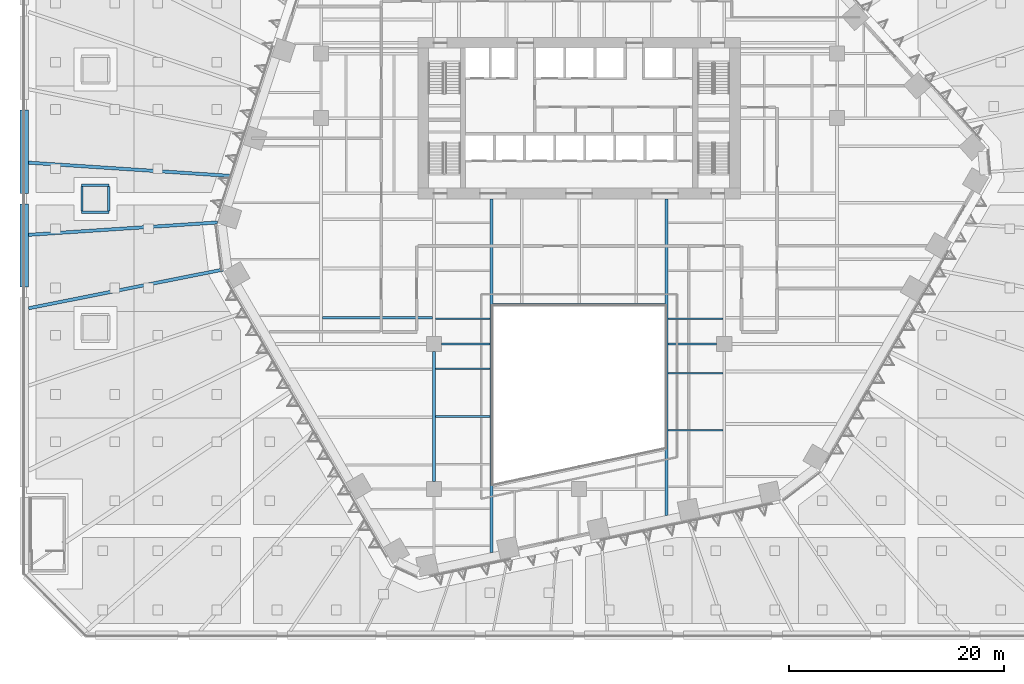
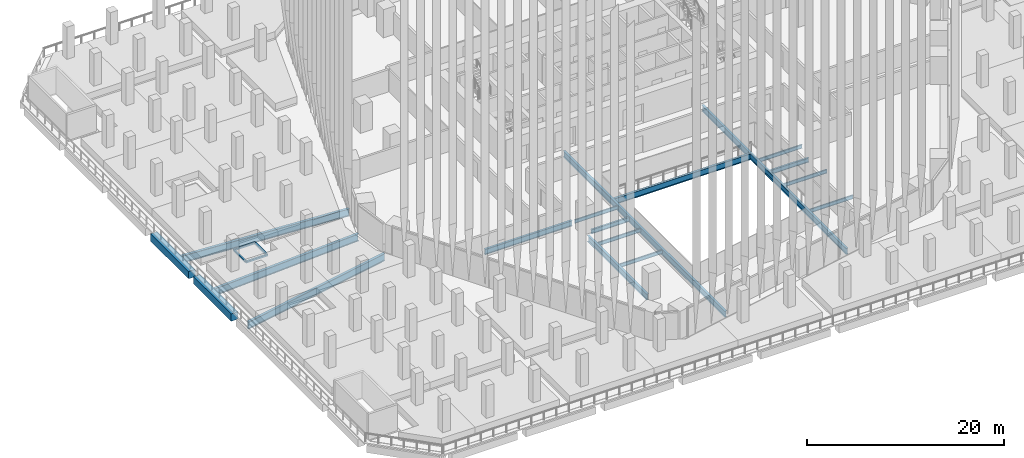
# One storey, part 6 of 51: 18 beams, 4 members.
"""IFC4 building model written with IfcOpenShell, lengths in metres."""

from ifc_helpers import new_model, si_unit, direction, frame, origin, origin_2d, place, context, subcontext, project, spatial, rectangle, i_section, extrude, material, material_profile, profile_set, type_object, element, save


model = new_model("IFC4")

# Units and contexts
model_context = context("Model", 3, precision=1e-05, world=origin(), true_north=direction((0.0, 1.0)))
body_context = subcontext(model_context, "Body", "Model", "MODEL_VIEW")
ifc_project = project(units=[si_unit("LENGTHUNIT", "METRE"), si_unit("AREAUNIT", "SQUARE_METRE"), si_unit("VOLUMEUNIT", "CUBIC_METRE"), si_unit("PLANEANGLEUNIT", "RADIAN"), si_unit("MASSUNIT", "GRAM", prefix="KILO")], contexts=[model_context])

# Site, building, storey
site_placement = place(None, origin())
site = spatial("IfcSite", under=ifc_project, at=site_placement, CompositionType="ELEMENT")
building_placement = place(site_placement, origin())
building = spatial("IfcBuilding", under=site, at=building_placement, Name="Isthmus Gate Tower", CompositionType="ELEMENT")
storey_placement = place(building_placement, frame((0.0, 0.0, 36.0)))
storey = spatial("IfcBuildingStorey", under=building, at=storey_placement, Name="L06", CompositionType="ELEMENT", Elevation=36.0)

# Beams
ifc_material_1 = material(Name="Concrete f'c 70 MPa", Category="concrete")
ifc_material_profile_1 = material_profile(ifc_material_1, rectangle(XDim=0.800048828125, YDim=0.89990234375, at=origin_2d()), Name="RC 800X900")
ifc_profile_set_1 = profile_set([ifc_material_profile_1], Name="Concrete f'c 70 MPa")
beam_type_1 = type_object("IfcBeamType", Name="RC EDGE BEAM 800 X 900", PredefinedType="BEAM", material=ifc_profile_set_1)
beam_1_placement = place(storey_placement, frame((-51.60009765625, -8.199951171875, -0.60009765625), z_axis=(0.0, 1.0, 0.0), x_axis=(-1.0, 0.0, 0.0)))
element("IfcBeam", 1, at=beam_1_placement, inside=storey, type_object=beam_type_1, Name="str-edgebeam-L06-03", PredefinedType="BEAM", context=body_context, shape_type="SweptSolid", body=[
    extrude(rectangle(XDim=0.800048828125, YDim=0.89990234375, at=origin_2d()), origin(), (0.0, 0.0, 1.0), 7.699951171875),
])
beam_2_placement = place(storey_placement, frame((-51.60009765625, 0.5, -0.60009765625), z_axis=(0.0, 1.0, 0.0), x_axis=(-1.0, 0.0, 0.0)))
element("IfcBeam", 2, at=beam_2_placement, inside=storey, type_object=beam_type_1, Name="str-edgebeam-L06-04", PredefinedType="BEAM", context=body_context, shape_type="SweptSolid", body=[
    extrude(rectangle(XDim=0.800048828125, YDim=0.89990234375, at=origin_2d()), origin(), (0.0, 0.0, 1.0), 7.75),
])

# Members
ifc_material_2 = material(Name="Concrete C30/37", Category="concrete")
ifc_material_profile_2 = material_profile(ifc_material_2, rectangle(XDim=0.199951171875, YDim=0.199951171875, at=origin_2d()), Name="200x200")
ifc_profile_set_2 = profile_set([ifc_material_profile_2], Name="Concrete C30/37")
member_type = type_object("IfcMemberType", Name="SKYLIGHT KERB 200 X 200", PredefinedType="USERDEFINED", material=ifc_profile_set_2)
for number, where, z_axis, x_axis, name in (
    (3, (-46.300048828125, -1.25, 0.10009765625), (1.0, 0.0, 0.0), (0.0, 1.0, 0.0), "Skylight kerb"),
    (4, (-46.300048828125, 1.25, 0.10009765625), (1.0, 0.0, 0.0), (0.0, 1.0, 0.0), "Skylight kerb"),
):
    element("IfcMember", number, at=place(storey_placement, frame(where, z_axis=z_axis, x_axis=x_axis)), inside=storey, type_object=member_type, Name=name, ObjectType="KERB", PredefinedType="USERDEFINED", context=body_context, shape_type="SweptSolid", body=[
        extrude(rectangle(XDim=0.199951171875, YDim=0.199951171875, at=origin_2d()), origin(), (0.0, 0.0, 1.0), 2.60009765625),
    ])
for number, where, z_axis, x_axis, name in (
    (5, (-46.25, -1.14990234375, 0.10009765625), (0.0, 1.0, 0.0), (-1.0, 0.0, 0.0), "Skylight kerb"),
    (6, (-43.75, -1.14990234375, 0.10009765625), (0.0, 1.0, 0.0), (-1.0, 0.0, 0.0), "Skylight kerb"),
):
    element("IfcMember", number, at=place(storey_placement, frame(where, z_axis=z_axis, x_axis=x_axis)), inside=storey, type_object=member_type, Name=name, ObjectType="KERB", PredefinedType="USERDEFINED", context=body_context, shape_type="SweptSolid", body=[
        extrude(rectangle(XDim=0.199951171875, YDim=0.199951171875, at=origin_2d()), origin(), (0.0, 0.0, 1.0), 2.2998046875),
    ])

# Beams
ifc_material_3 = material(Name="Structural steel ASTM A992 Gr 50", Category="steel")
ifc_material_profile_3 = material_profile(ifc_material_3, i_section(OverallWidth=0.15234375, OverallDepth=0.45068359375, WebThickness=0.0078125, FlangeThickness=0.010986328125, at=origin_2d()), Name="W18X35")
ifc_profile_set_3 = profile_set([ifc_material_profile_3], Name="Structural steel ASTM A992 Gr 50")
beam_type_2 = type_object("IfcBeamType", Name="STEEL FLOOR BEAM W18X35", PredefinedType="JOIST", material=ifc_profile_set_3)
for number, where, z_axis, x_axis, name in (
    (7, (-13.3681640625, -11.16259765625, -0.37548828125), (1.0, 0.0, 0.0), (0.0, 1.0, 0.0), "str-beam-L06-11-00"),
    (8, (-13.3681640625, -20.25, -0.37548828125), (1.0, 0.0, 0.0), (0.0, 1.0, 0.0), "str-beam-L06-12-01"),
    (9, (-13.3681640625, -15.81982421875, -0.37548828125), (1.0, 0.0, 0.0), (0.0, 1.0, 0.0), "str-beam-L06-12-02"),
):
    element("IfcBeam", number, at=place(storey_placement, frame(where, z_axis=z_axis, x_axis=x_axis)), inside=storey, type_object=beam_type_2, Name=name, PredefinedType="JOIST", context=body_context, shape_type="SweptSolid", body=[
        extrude(i_section(OverallWidth=0.15234375, OverallDepth=0.45068359375, WebThickness=0.0078125, FlangeThickness=0.010986328125, at=origin_2d()), origin(), (0.0, 0.0, 1.0), 5.1015625),
    ])
for number, where, z_axis, x_axis, name in (
    (10, (8.263427734375, -21.51513671875, -0.37548828125), (1.0, 0.0, 0.0), (0.0, 1.0, 0.0), "str-beam-L06-22-01"),
    (11, (8.263427734375, -16.241455078125, -0.37548828125), (1.0, 0.0, 0.0), (0.0, 1.0, 0.0), "str-beam-L06-22-02"),
):
    element("IfcBeam", number, at=place(storey_placement, frame(where, z_axis=z_axis, x_axis=x_axis)), inside=storey, type_object=beam_type_2, Name=name, PredefinedType="JOIST", context=body_context, shape_type="SweptSolid", body=[
        extrude(i_section(OverallWidth=0.15234375, OverallDepth=0.45068359375, WebThickness=0.0078125, FlangeThickness=0.010986328125, at=origin_2d()), origin(), (0.0, 0.0, 1.0), 5.103271484375),
    ])
beam_3_placement = place(storey_placement, frame((8.263427734375, -11.16259765625, -0.37548828125), z_axis=(1.0, 0.0, 0.0), x_axis=(0.0, 1.0, 0.0)))
element("IfcBeam", 12, at=beam_3_placement, inside=storey, type_object=beam_type_2, Name="str-beam-L06-23-00", PredefinedType="JOIST", context=body_context, shape_type="SweptSolid", body=[
    extrude(i_section(OverallWidth=0.15234375, OverallDepth=0.45068359375, WebThickness=0.0078125, FlangeThickness=0.010986328125, at=origin_2d()), origin(), (0.0, 0.0, 1.0), 5.104736328125),
])
ifc_material_4 = material(Name="Structural steel ASTM A992 Gr 50", Category="steel")
ifc_material_profile_4 = material_profile(ifc_material_4, i_section(OverallWidth=0.25390625, OverallDepth=0.679443359375, WebThickness=0.010986328125, FlangeThickness=0.015869140625, at=origin_2d()), Name="W27X84")
ifc_profile_set_4 = profile_set([ifc_material_profile_4], Name="Structural steel ASTM A992 Gr 50")
beam_type_3 = type_object("IfcBeamType", Name="STEEL FLOOR BEAM W27X84", PredefinedType="JOIST", material=ifc_profile_set_4)
beam_4_placement = place(storey_placement, frame((-23.86669921875, -11.07470703125, -0.48974609375), z_axis=(1.0, 0.0, 0.0), x_axis=(0.0, 1.0, 0.0)))
element("IfcBeam", 13, at=beam_4_placement, inside=storey, type_object=beam_type_3, Name="str-beam-L06-07-00", PredefinedType="JOIST", context=body_context, shape_type="SweptSolid", body=[
    extrude(i_section(OverallWidth=0.25390625, OverallDepth=0.679443359375, WebThickness=0.010986328125, FlangeThickness=0.015869140625, at=origin_2d()), origin(), (0.0, 0.0, 1.0), 10.23486328125),
])
ifc_material_5 = material(Name="Structural steel ASTM A992 Gr 50", Category="steel")
ifc_material_profile_5 = material_profile(ifc_material_5, i_section(OverallWidth=0.20947265625, OverallDepth=0.533447265625, WebThickness=0.009521484375, FlangeThickness=0.015869140625, at=origin_2d()), Name="W21X62")
ifc_profile_set_5 = profile_set([ifc_material_profile_5], Name="Structural steel ASTM A992 Gr 50")
beam_type_4 = type_object("IfcBeamType", Name="STEEL GIRDER W21X62", PredefinedType="BEAM", material=ifc_profile_set_5)
beam_5_placement = place(storey_placement, frame((-12.800048828125, -13.5, -0.416748046875), z_axis=(1.0, 0.0, 0.0), x_axis=(0.0, 1.0, 0.0)))
element("IfcBeam", 14, at=beam_5_placement, inside=storey, type_object=beam_type_4, Name="str-girder-L06-06", PredefinedType="BEAM", context=body_context, shape_type="SweptSolid", body=[
    extrude(i_section(OverallWidth=0.20947265625, OverallDepth=0.533447265625, WebThickness=0.009521484375, FlangeThickness=0.015869140625, at=origin_2d()), origin(), (0.0, 0.0, 1.0), 4.533447265625),
])
beam_6_placement = place(storey_placement, frame((8.263427734375, -13.5, -0.416748046875), z_axis=(1.0, 0.0, 0.0), x_axis=(0.0, 1.0, 0.0)))
element("IfcBeam", 15, at=beam_6_placement, inside=storey, type_object=beam_type_4, Name="str-girder-L06-07", PredefinedType="BEAM", context=body_context, shape_type="SweptSolid", body=[
    extrude(i_section(OverallWidth=0.20947265625, OverallDepth=0.533447265625, WebThickness=0.009521484375, FlangeThickness=0.015869140625, at=origin_2d()), origin(), (0.0, 0.0, 1.0), 4.53662109375),
])
ifc_material_6 = material(Name="Structural steel ASTM A992 Gr 50", Category="steel")
ifc_material_profile_6 = material_profile(ifc_material_6, i_section(OverallWidth=0.263427734375, OverallDepth=0.749267578125, WebThickness=0.0126953125, FlangeThickness=0.015869140625, at=origin_2d()), Name="W30X90")
ifc_profile_set_6 = profile_set([ifc_material_profile_6], Name="Structural steel ASTM A992 Gr 50")
beam_type_5 = type_object("IfcBeamType", Name="STEEL GIRDER W30X90", PredefinedType="BEAM", material=ifc_profile_set_6)
beam_7_placement = place(storey_placement, frame((-13.5, -26.300048828125, -0.524658203125), z_axis=(0.0, 1.0, 0.0), x_axis=(-1.0, 0.0, 0.0)))
element("IfcBeam", 16, at=beam_7_placement, inside=storey, type_object=beam_type_5, Name="str-girder-L06-24", PredefinedType="BEAM", context=body_context, shape_type="SweptSolid", body=[
    extrude(i_section(OverallWidth=0.263427734375, OverallDepth=0.749267578125, WebThickness=0.0126953125, FlangeThickness=0.015869140625, at=origin_2d()), origin(), (0.0, 0.0, 1.0), 12.10009765625),
])
ifc_material_7 = material(Name="Structural steel ASTM A992 Gr 50", Category="steel")
ifc_material_profile_7 = material_profile(ifc_material_7, i_section(OverallWidth=0.3046875, OverallDepth=0.901611328125, WebThickness=0.015869140625, FlangeThickness=0.0205078125, at=origin_2d()), Name="W36X135")
ifc_profile_set_7 = profile_set([ifc_material_profile_7], Name="Structural steel ASTM A992 Gr 50")
beam_type_6 = type_object("IfcBeamType", Name="STEEL LEDGE BEAM W36X135", PredefinedType="JOIST", material=ifc_profile_set_7)
beam_8_placement = place(storey_placement, frame((-33.627685546875, -2.2041015625, -0.600830078125), z_axis=(-0.997859426527, -0.06539545008, 0.0), x_axis=(0.06539545008, -0.997859426527, 0.0)))
element("IfcBeam", 17, at=beam_8_placement, inside=storey, type_object=beam_type_6, Name="str-ringbeam-L06-00-24", PredefinedType="JOIST", context=body_context, shape_type="SweptSolid", body=[
    extrude(i_section(OverallWidth=0.3046875, OverallDepth=0.901611328125, WebThickness=0.015869140625, FlangeThickness=0.0205078125, at=origin_2d()), origin(), (0.0, 0.0, 1.0), 17.60986328125),
])
beam_9_placement = place(storey_placement, frame((-33.08349609375, -6.580810546875, -0.600830078125), z_axis=(-0.980786019427, -0.195086606654, 0.0), x_axis=(0.195086606654, -0.980786019427, 0.0)))
element("IfcBeam", 18, at=beam_9_placement, inside=storey, type_object=beam_type_6, Name="str-ringbeam-L06-00-25", PredefinedType="JOIST", context=body_context, shape_type="SweptSolid", body=[
    extrude(i_section(OverallWidth=0.3046875, OverallDepth=0.901611328125, WebThickness=0.015869140625, FlangeThickness=0.0205078125, at=origin_2d()), origin(), (0.0, 0.0, 1.0), 18.471435546875),
])
ifc_material_8 = material(Name="Structural steel ASTM A992 Gr 50", Category="steel")
ifc_material_profile_8 = material_profile(ifc_material_8, i_section(OverallWidth=0.3046875, OverallDepth=0.914306640625, WebThickness=0.015869140625, FlangeThickness=0.025390625, at=origin_2d()), Name="W36X160")
ifc_profile_set_8 = profile_set([ifc_material_profile_8], Name="Structural steel ASTM A992 Gr 50")
beam_type_7 = type_object("IfcBeamType", Name="STEEL LEDGE BEAM W36X160", PredefinedType="JOIST", material=ifc_profile_set_8)
beam_10_placement = place(storey_placement, frame((-32.225341796875, 2.112060546875, -0.607177734375), z_axis=(-0.997858955021, 0.065402644324, 0.0), x_axis=(-0.065402644324, -0.997858955021, 0.0)))
element("IfcBeam", 19, at=beam_10_placement, inside=storey, type_object=beam_type_7, Name="str-ringbeam-L06-00-23", PredefinedType="JOIST", context=body_context, shape_type="SweptSolid", body=[
    extrude(i_section(OverallWidth=0.3046875, OverallDepth=0.914306640625, WebThickness=0.015869140625, FlangeThickness=0.025390625, at=origin_2d()), origin(), (0.0, 0.0, 1.0), 19.015380859375),
])
ifc_material_9 = material(Name="Structural steel ASTM A992 Gr 50", Category="steel")
ifc_material_profile_9 = material_profile(ifc_material_9, i_section(OverallWidth=0.2666015625, OverallDepth=0.7587890625, WebThickness=0.014404296875, FlangeThickness=0.01904296875, at=origin_2d()), Name="W30X108")
ifc_profile_set_9 = profile_set([ifc_material_profile_9], Name="Structural steel ASTM A992 Gr 50")
beam_type_8 = type_object("IfcBeamType", Name="STEEL TRIMMER W30X108", PredefinedType="BEAM", material=ifc_profile_set_9)
beam_11_placement = place(storey_placement, frame((-8.13330078125, 0.0, -0.529296875), z_axis=(0.0, -1.0, 0.0), x_axis=(1.0, 0.0, 0.0)))
element("IfcBeam", 20, at=beam_11_placement, inside=storey, type_object=beam_type_8, Name="str-trimmer-L06-02", PredefinedType="BEAM", context=body_context, shape_type="SweptSolid", body=[
    extrude(i_section(OverallWidth=0.2666015625, OverallDepth=0.7587890625, WebThickness=0.014404296875, FlangeThickness=0.01904296875, at=origin_2d()), origin(), (0.0, 0.0, 1.0), 32.910888671875),
])
beam_12_placement = place(storey_placement, frame((8.0, -9.86669921875, -0.529296875), z_axis=(-1.0, 0.0, 0.0), x_axis=(0.0, -1.0, 0.0)))
element("IfcBeam", 21, at=beam_12_placement, inside=storey, type_object=beam_type_8, Name="str-trimmer-L06-04", PredefinedType="BEAM", context=body_context, shape_type="SweptSolid", body=[
    extrude(i_section(OverallWidth=0.2666015625, OverallDepth=0.7587890625, WebThickness=0.014404296875, FlangeThickness=0.01904296875, at=origin_2d()), origin(), (0.0, 0.0, 1.0), 16.0),
])
ifc_material_10 = material(Name="Structural steel ASTM A992 Gr 50", Category="steel")
ifc_material_profile_10 = material_profile(ifc_material_10, i_section(OverallWidth=0.263427734375, OverallDepth=0.749267578125, WebThickness=0.0126953125, FlangeThickness=0.015869140625, at=origin_2d()), Name="W30X90")
ifc_profile_set_10 = profile_set([ifc_material_profile_10], Name="Structural steel ASTM A992 Gr 50")
beam_type_9 = type_object("IfcBeamType", Name="STEEL TRIMMER W30X90", PredefinedType="BEAM", material=ifc_profile_set_10)
beam_13_placement = place(storey_placement, frame((8.1318359375, -29.45361328125, -0.524658203125), z_axis=(0.0, 1.0, 0.0), x_axis=(-1.0, 0.0, 0.0)))
element("IfcBeam", 22, at=beam_13_placement, inside=storey, type_object=beam_type_9, Name="str-trimmer-L06-01", PredefinedType="BEAM", context=body_context, shape_type="SweptSolid", body=[
    extrude(i_section(OverallWidth=0.263427734375, OverallDepth=0.749267578125, WebThickness=0.0126953125, FlangeThickness=0.015869140625, at=origin_2d()), origin(), (0.0, 0.0, 1.0), 29.45361328125),
])

save(model, "model.ifc")
